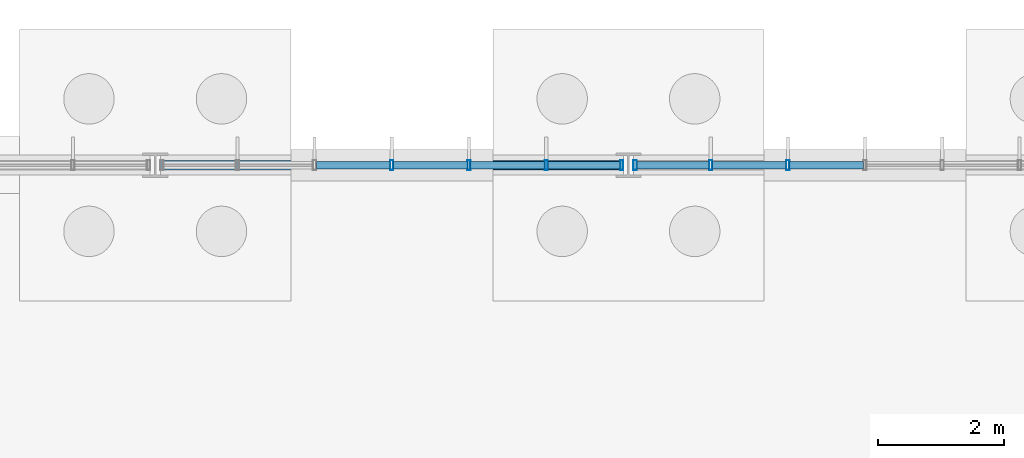
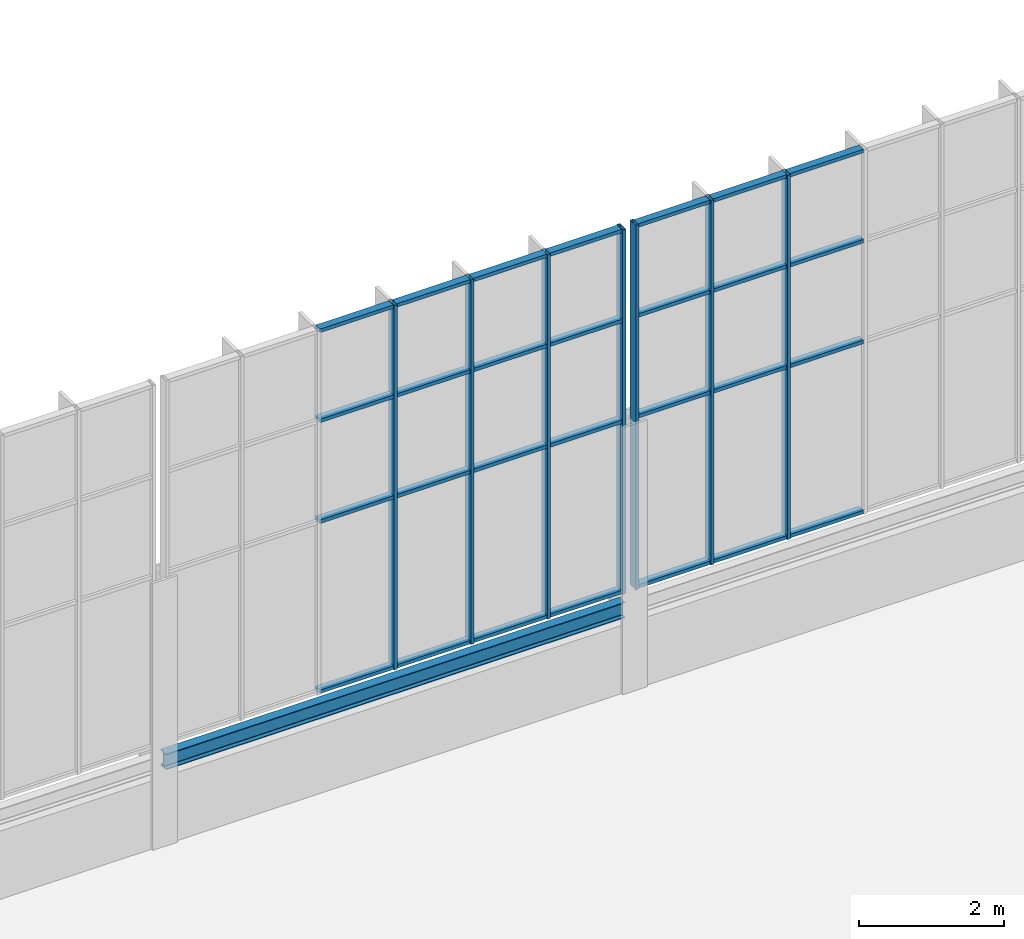
# One storey, part 64 of 136: 35 members, 1 beam, 2 elements without a shape of their own.
"""IFC4 building model written with IfcOpenShell, lengths in metres."""

from ifc_helpers import new_model, si_unit, direction, frame, origin, origin_2d, place, context, subcontext, project, spatial, hollow_rectangle, i_section, extrude, material, layer, layer_set, material_profile, profile_set, type_object, element, aggregate, save


model = new_model("IFC4")

# Units and contexts
model_context = context("Model", 3, precision=1e-05, world=origin(), true_north=direction((0.0, 1.0)))
body_context = subcontext(model_context, "Body", "Model", "MODEL_VIEW")
ifc_project = project(units=[si_unit("LENGTHUNIT", "METRE"), si_unit("AREAUNIT", "SQUARE_METRE"), si_unit("VOLUMEUNIT", "CUBIC_METRE"), si_unit("PLANEANGLEUNIT", "RADIAN"), si_unit("MASSUNIT", "GRAM", prefix="KILO")], contexts=[model_context])

# Site, building, storey
site_placement = place(None, origin())
site = spatial("IfcSite", under=ifc_project, at=site_placement, CompositionType="ELEMENT")
building_placement = place(site_placement, origin())
building = spatial("IfcBuilding", under=site, at=building_placement, Name="Solvenia Promenade Tram Depot", CompositionType="ELEMENT")
storey_placement = place(building_placement, origin())
storey = spatial("IfcBuildingStorey", under=building, at=storey_placement, Name="L00", CompositionType="ELEMENT", Elevation=0.0)

# Curtain wall, members
ifc_material_1 = material(Name="Anodized aluminium AW-6063 T6", Category="aluminium")
ifc_layer = layer(ifc_material_1, 0.159912109375, Name="Anodized aluminium AW-6063 T6", Category="aluminium")
ifc_layer_set = layer_set([ifc_layer], Name="Anodized aluminium AW-6063 T6")
curtain_wall_type = type_object("IfcCurtainWallType", Name="CW-Channel-1200", PredefinedType="NOTDEFINED", material=ifc_layer_set)
curtain_wall_1_placement = place(storey_placement, origin())
curtain_wall_1 = element("IfcCurtainWall", 1, at=curtain_wall_1_placement, inside=storey, type_object=curtain_wall_type, Name="North Translucent Channel-Glass Wall 09", PredefinedType="NOTDEFINED")
ifc_material_profile_1 = material_profile(ifc_material_1, hollow_rectangle(XDim=0.159912109375, YDim=0.052001953125, WallThickness=0.00390625, at=origin_2d()), Name="ALU-M1", Category="aluminium")
ifc_profile_set_1 = profile_set([ifc_material_profile_1], Name="Anodized aluminium AW-6063 T6")
member_type_1 = type_object("IfcMemberType", Name="CWM-Mullion-1", PredefinedType="MULLION", material=ifc_profile_set_1)
member_1_placement = place(storey_placement, frame((63.75, 126.0, 1.60009765625), z_axis=(0.0, 0.0, 1.0), x_axis=(0.0, 1.0, 0.0)))
member_1 = element("IfcMember", 2, at=member_1_placement, type_object=member_type_1, Name="CW-1 mullion 4", PredefinedType="MULLION", context=body_context, shape_type="SweptSolid", body=[
    extrude(hollow_rectangle(XDim=0.159912109375, YDim=0.052001953125, WallThickness=0.00390625, at=origin_2d()), origin(), (0.0, 0.0, 1.0), 6.14990234375),
])
member_2_placement = place(storey_placement, frame((64.973388671875, 126.0, 1.60009765625), z_axis=(0.0, 0.0, 1.0), x_axis=(0.0, 1.0, 0.0)))
member_2 = element("IfcMember", 3, at=member_2_placement, type_object=member_type_1, Name="CW-1 mullion 5", PredefinedType="MULLION", context=body_context, shape_type="SweptSolid", body=[
    extrude(hollow_rectangle(XDim=0.159912109375, YDim=0.052001953125, WallThickness=0.00390625, at=origin_2d()), origin(), (0.0, 0.0, 1.0), 6.14990234375),
])
member_3_placement = place(storey_placement, frame((66.19677734375, 126.0, 1.60009765625), z_axis=(0.0, 0.0, 1.0), x_axis=(0.0, 1.0, 0.0)))
member_3 = element("IfcMember", 4, at=member_3_placement, type_object=member_type_1, Name="CW-1 mullion 6", PredefinedType="MULLION", context=body_context, shape_type="SweptSolid", body=[
    extrude(hollow_rectangle(XDim=0.159912109375, YDim=0.052001953125, WallThickness=0.00390625, at=origin_2d()), origin(), (0.0, 0.0, 1.0), 6.14990234375),
])
member_4_placement = place(storey_placement, frame((67.39404296875, 126.0, 1.60009765625), z_axis=(0.0, 0.0, 1.0), x_axis=(0.0, 1.0, 0.0)))
member_4 = element("IfcMember", 5, at=member_4_placement, type_object=member_type_1, Name="CW-1 mullion 7", PredefinedType="MULLION", context=body_context, shape_type="SweptSolid", body=[
    extrude(hollow_rectangle(XDim=0.159912109375, YDim=0.052001953125, WallThickness=0.00390625, at=origin_2d()), origin(), (0.0, 0.0, 1.0), 6.14990234375),
])

curtain_wall_2_placement = place(storey_placement, origin())
curtain_wall_2 = element("IfcCurtainWall", 6, at=curtain_wall_2_placement, inside=storey, type_object=curtain_wall_type, Name="North Translucent Channel-Glass Wall 10", PredefinedType="NOTDEFINED")
member_5_placement = place(storey_placement, frame((67.60595703125, 126.0, 1.60009765625), z_axis=(0.0, 0.0, 1.0), x_axis=(0.0, 1.0, 0.0)))
member_5 = element("IfcMember", 7, at=member_5_placement, type_object=member_type_1, Name="CW-1 mullion 1", PredefinedType="MULLION", context=body_context, shape_type="SweptSolid", body=[
    extrude(hollow_rectangle(XDim=0.159912109375, YDim=0.052001953125, WallThickness=0.00390625, at=origin_2d()), origin(), (0.0, 0.0, 1.0), 6.14990234375),
])
member_6_placement = place(storey_placement, frame((68.80322265625, 126.0, 1.60009765625), z_axis=(0.0, 0.0, 1.0), x_axis=(0.0, 1.0, 0.0)))
member_6 = element("IfcMember", 8, at=member_6_placement, type_object=member_type_1, Name="CW-1 mullion 2", PredefinedType="MULLION", context=body_context, shape_type="SweptSolid", body=[
    extrude(hollow_rectangle(XDim=0.159912109375, YDim=0.052001953125, WallThickness=0.00390625, at=origin_2d()), origin(), (0.0, 0.0, 1.0), 6.14990234375),
])
member_7_placement = place(storey_placement, frame((70.026611328125, 126.0, 1.60009765625), z_axis=(0.0, 0.0, 1.0), x_axis=(0.0, 1.0, 0.0)))
member_7 = element("IfcMember", 9, at=member_7_placement, type_object=member_type_1, Name="CW-1 mullion 3", PredefinedType="MULLION", context=body_context, shape_type="SweptSolid", body=[
    extrude(hollow_rectangle(XDim=0.159912109375, YDim=0.052001953125, WallThickness=0.00390625, at=origin_2d()), origin(), (0.0, 0.0, 1.0), 6.14990234375),
])

# Member
ifc_material_profile_2 = material_profile(ifc_material_1, hollow_rectangle(XDim=0.1201171875, YDim=0.06005859375, WallThickness=0.00390625, at=origin_2d()), Name="ALU-T1", Category="aluminium")
ifc_profile_set_2 = profile_set([ifc_material_profile_2], Name="Anodized aluminium AW-6063 T6")
member_type_2 = type_object("IfcMemberType", Name="CWT-Transom-1", PredefinedType="USERDEFINED", material=ifc_profile_set_2)
member_8_placement = place(storey_placement, frame((62.552734375, 126.0, 1.6298828125), z_axis=(1.0, 0.0, 0.0), x_axis=(0.0, 1.0, 0.0)))
member_8 = element("IfcMember", 10, at=member_8_placement, type_object=member_type_2, Name="CW-1 transom 3.1", ObjectType="TRANSOM", PredefinedType="USERDEFINED", context=body_context, shape_type="SweptSolid", body=[
    extrude(hollow_rectangle(XDim=0.1201171875, YDim=0.06005859375, WallThickness=0.00390625, at=origin_2d()), origin(), (0.0, 0.0, 1.0), 1.17138671875),
])

member_9_placement = place(storey_placement, frame((62.552734375, 126.0, 4.5), z_axis=(1.0, 0.0, 0.0), x_axis=(0.0, 1.0, 0.0)))
member_9 = element("IfcMember", 11, at=member_9_placement, type_object=member_type_2, Name="CW-1 transom 3.2", ObjectType="TRANSOM", PredefinedType="USERDEFINED", context=body_context, shape_type="SweptSolid", body=[
    extrude(hollow_rectangle(XDim=0.1201171875, YDim=0.06005859375, WallThickness=0.00390625, at=origin_2d()), origin(), (0.0, 0.0, 1.0), 1.17138671875),
])

member_10_placement = place(storey_placement, frame((62.552734375, 126.0, 6.199951171875), z_axis=(1.0, 0.0, 0.0), x_axis=(0.0, 1.0, 0.0)))
member_10 = element("IfcMember", 12, at=member_10_placement, type_object=member_type_2, Name="CW-1 transom 3.3", ObjectType="TRANSOM", PredefinedType="USERDEFINED", context=body_context, shape_type="SweptSolid", body=[
    extrude(hollow_rectangle(XDim=0.1201171875, YDim=0.06005859375, WallThickness=0.00390625, at=origin_2d()), origin(), (0.0, 0.0, 1.0), 1.17138671875),
])

member_11_placement = place(storey_placement, frame((62.552734375, 126.0, 7.719970703125), z_axis=(1.0, 0.0, 0.0), x_axis=(0.0, 1.0, 0.0)))
member_11 = element("IfcMember", 13, at=member_11_placement, type_object=member_type_2, Name="CW-1 transom 3.4", ObjectType="TRANSOM", PredefinedType="USERDEFINED", context=body_context, shape_type="SweptSolid", body=[
    extrude(hollow_rectangle(XDim=0.1201171875, YDim=0.06005859375, WallThickness=0.00390625, at=origin_2d()), origin(), (0.0, 0.0, 1.0), 1.17138671875),
])

member_12_placement = place(storey_placement, frame((63.77587890625, 126.0, 1.6298828125), z_axis=(1.0, 0.0, 0.0), x_axis=(0.0, 1.0, 0.0)))
member_12 = element("IfcMember", 14, at=member_12_placement, type_object=member_type_2, Name="CW-1 transom 4.1", ObjectType="TRANSOM", PredefinedType="USERDEFINED", context=body_context, shape_type="SweptSolid", body=[
    extrude(hollow_rectangle(XDim=0.1201171875, YDim=0.06005859375, WallThickness=0.00390625, at=origin_2d()), origin(), (0.0, 0.0, 1.0), 1.17138671875),
])

member_13_placement = place(storey_placement, frame((63.77587890625, 126.0, 4.5), z_axis=(1.0, 0.0, 0.0), x_axis=(0.0, 1.0, 0.0)))
member_13 = element("IfcMember", 15, at=member_13_placement, type_object=member_type_2, Name="CW-1 transom 4.2", ObjectType="TRANSOM", PredefinedType="USERDEFINED", context=body_context, shape_type="SweptSolid", body=[
    extrude(hollow_rectangle(XDim=0.1201171875, YDim=0.06005859375, WallThickness=0.00390625, at=origin_2d()), origin(), (0.0, 0.0, 1.0), 1.17138671875),
])

member_14_placement = place(storey_placement, frame((63.77587890625, 126.0, 6.199951171875), z_axis=(1.0, 0.0, 0.0), x_axis=(0.0, 1.0, 0.0)))
member_14 = element("IfcMember", 16, at=member_14_placement, type_object=member_type_2, Name="CW-1 transom 4.3", ObjectType="TRANSOM", PredefinedType="USERDEFINED", context=body_context, shape_type="SweptSolid", body=[
    extrude(hollow_rectangle(XDim=0.1201171875, YDim=0.06005859375, WallThickness=0.00390625, at=origin_2d()), origin(), (0.0, 0.0, 1.0), 1.17138671875),
])

member_15_placement = place(storey_placement, frame((63.77587890625, 126.0, 7.719970703125), z_axis=(1.0, 0.0, 0.0), x_axis=(0.0, 1.0, 0.0)))
member_15 = element("IfcMember", 17, at=member_15_placement, type_object=member_type_2, Name="CW-1 transom 4.4", ObjectType="TRANSOM", PredefinedType="USERDEFINED", context=body_context, shape_type="SweptSolid", body=[
    extrude(hollow_rectangle(XDim=0.1201171875, YDim=0.06005859375, WallThickness=0.00390625, at=origin_2d()), origin(), (0.0, 0.0, 1.0), 1.17138671875),
])

member_16_placement = place(storey_placement, frame((64.999267578125, 126.0, 1.6298828125), z_axis=(1.0, 0.0, 0.0), x_axis=(0.0, 1.0, 0.0)))
member_16 = element("IfcMember", 18, at=member_16_placement, type_object=member_type_2, Name="CW-1 transom 5.1", ObjectType="TRANSOM", PredefinedType="USERDEFINED", context=body_context, shape_type="SweptSolid", body=[
    extrude(hollow_rectangle(XDim=0.1201171875, YDim=0.06005859375, WallThickness=0.00390625, at=origin_2d()), origin(), (0.0, 0.0, 1.0), 1.17138671875),
])

member_17_placement = place(storey_placement, frame((64.999267578125, 126.0, 4.5), z_axis=(1.0, 0.0, 0.0), x_axis=(0.0, 1.0, 0.0)))
member_17 = element("IfcMember", 19, at=member_17_placement, type_object=member_type_2, Name="CW-1 transom 5.2", ObjectType="TRANSOM", PredefinedType="USERDEFINED", context=body_context, shape_type="SweptSolid", body=[
    extrude(hollow_rectangle(XDim=0.1201171875, YDim=0.06005859375, WallThickness=0.00390625, at=origin_2d()), origin(), (0.0, 0.0, 1.0), 1.17138671875),
])

member_18_placement = place(storey_placement, frame((64.999267578125, 126.0, 6.199951171875), z_axis=(1.0, 0.0, 0.0), x_axis=(0.0, 1.0, 0.0)))
member_18 = element("IfcMember", 20, at=member_18_placement, type_object=member_type_2, Name="CW-1 transom 5.3", ObjectType="TRANSOM", PredefinedType="USERDEFINED", context=body_context, shape_type="SweptSolid", body=[
    extrude(hollow_rectangle(XDim=0.1201171875, YDim=0.06005859375, WallThickness=0.00390625, at=origin_2d()), origin(), (0.0, 0.0, 1.0), 1.17138671875),
])

member_19_placement = place(storey_placement, frame((64.999267578125, 126.0, 7.719970703125), z_axis=(1.0, 0.0, 0.0), x_axis=(0.0, 1.0, 0.0)))
member_19 = element("IfcMember", 21, at=member_19_placement, type_object=member_type_2, Name="CW-1 transom 5.4", ObjectType="TRANSOM", PredefinedType="USERDEFINED", context=body_context, shape_type="SweptSolid", body=[
    extrude(hollow_rectangle(XDim=0.1201171875, YDim=0.06005859375, WallThickness=0.00390625, at=origin_2d()), origin(), (0.0, 0.0, 1.0), 1.17138671875),
])

member_20_placement = place(storey_placement, frame((66.22265625, 126.0, 1.6298828125), z_axis=(1.0, 0.0, 0.0), x_axis=(0.0, 1.0, 0.0)))
member_20 = element("IfcMember", 22, at=member_20_placement, type_object=member_type_2, Name="CW-1 transom 6.1", ObjectType="TRANSOM", PredefinedType="USERDEFINED", context=body_context, shape_type="SweptSolid", body=[
    extrude(hollow_rectangle(XDim=0.1201171875, YDim=0.06005859375, WallThickness=0.00390625, at=origin_2d()), origin(), (0.0, 0.0, 1.0), 1.145263671875),
])

member_21_placement = place(storey_placement, frame((66.22265625, 126.0, 4.5), z_axis=(1.0, 0.0, 0.0), x_axis=(0.0, 1.0, 0.0)))
member_21 = element("IfcMember", 23, at=member_21_placement, type_object=member_type_2, Name="CW-1 transom 6.2", ObjectType="TRANSOM", PredefinedType="USERDEFINED", context=body_context, shape_type="SweptSolid", body=[
    extrude(hollow_rectangle(XDim=0.1201171875, YDim=0.06005859375, WallThickness=0.00390625, at=origin_2d()), origin(), (0.0, 0.0, 1.0), 1.145263671875),
])

member_22_placement = place(storey_placement, frame((66.22265625, 126.0, 6.199951171875), z_axis=(1.0, 0.0, 0.0), x_axis=(0.0, 1.0, 0.0)))
member_22 = element("IfcMember", 24, at=member_22_placement, type_object=member_type_2, Name="CW-1 transom 6.3", ObjectType="TRANSOM", PredefinedType="USERDEFINED", context=body_context, shape_type="SweptSolid", body=[
    extrude(hollow_rectangle(XDim=0.1201171875, YDim=0.06005859375, WallThickness=0.00390625, at=origin_2d()), origin(), (0.0, 0.0, 1.0), 1.145263671875),
])

member_23_placement = place(storey_placement, frame((66.22265625, 126.0, 7.719970703125), z_axis=(1.0, 0.0, 0.0), x_axis=(0.0, 1.0, 0.0)))
member_23 = element("IfcMember", 25, at=member_23_placement, type_object=member_type_2, Name="CW-1 transom 6.4", ObjectType="TRANSOM", PredefinedType="USERDEFINED", context=body_context, shape_type="SweptSolid", body=[
    extrude(hollow_rectangle(XDim=0.1201171875, YDim=0.06005859375, WallThickness=0.00390625, at=origin_2d()), origin(), (0.0, 0.0, 1.0), 1.145263671875),
])

aggregate(curtain_wall_1, [member_1, member_2, member_3, member_4, member_8, member_9, member_10, member_11, member_12, member_13, member_14, member_15, member_16, member_17, member_18, member_19, member_20, member_21, member_22, member_23])

member_24_placement = place(storey_placement, frame((67.632080078125, 126.0, 1.6298828125), z_axis=(1.0, 0.0, 0.0), x_axis=(0.0, 1.0, 0.0)))
member_24 = element("IfcMember", 26, at=member_24_placement, type_object=member_type_2, Name="CW-1 transom 1.1", ObjectType="TRANSOM", PredefinedType="USERDEFINED", context=body_context, shape_type="SweptSolid", body=[
    extrude(hollow_rectangle(XDim=0.1201171875, YDim=0.06005859375, WallThickness=0.00390625, at=origin_2d()), origin(), (0.0, 0.0, 1.0), 1.145263671875),
])

member_25_placement = place(storey_placement, frame((67.632080078125, 126.0, 4.5), z_axis=(1.0, 0.0, 0.0), x_axis=(0.0, 1.0, 0.0)))
member_25 = element("IfcMember", 27, at=member_25_placement, type_object=member_type_2, Name="CW-1 transom 1.2", ObjectType="TRANSOM", PredefinedType="USERDEFINED", context=body_context, shape_type="SweptSolid", body=[
    extrude(hollow_rectangle(XDim=0.1201171875, YDim=0.06005859375, WallThickness=0.00390625, at=origin_2d()), origin(), (0.0, 0.0, 1.0), 1.145263671875),
])

member_26_placement = place(storey_placement, frame((67.632080078125, 126.0, 6.199951171875), z_axis=(1.0, 0.0, 0.0), x_axis=(0.0, 1.0, 0.0)))
member_26 = element("IfcMember", 28, at=member_26_placement, type_object=member_type_2, Name="CW-1 transom 1.3", ObjectType="TRANSOM", PredefinedType="USERDEFINED", context=body_context, shape_type="SweptSolid", body=[
    extrude(hollow_rectangle(XDim=0.1201171875, YDim=0.06005859375, WallThickness=0.00390625, at=origin_2d()), origin(), (0.0, 0.0, 1.0), 1.145263671875),
])

member_27_placement = place(storey_placement, frame((67.632080078125, 126.0, 7.719970703125), z_axis=(1.0, 0.0, 0.0), x_axis=(0.0, 1.0, 0.0)))
member_27 = element("IfcMember", 29, at=member_27_placement, type_object=member_type_2, Name="CW-1 transom 1.4", ObjectType="TRANSOM", PredefinedType="USERDEFINED", context=body_context, shape_type="SweptSolid", body=[
    extrude(hollow_rectangle(XDim=0.1201171875, YDim=0.06005859375, WallThickness=0.00390625, at=origin_2d()), origin(), (0.0, 0.0, 1.0), 1.145263671875),
])

member_28_placement = place(storey_placement, frame((68.829345703125, 126.0, 1.6298828125), z_axis=(1.0, 0.0, 0.0), x_axis=(0.0, 1.0, 0.0)))
member_28 = element("IfcMember", 30, at=member_28_placement, type_object=member_type_2, Name="CW-1 transom 2.1", ObjectType="TRANSOM", PredefinedType="USERDEFINED", context=body_context, shape_type="SweptSolid", body=[
    extrude(hollow_rectangle(XDim=0.1201171875, YDim=0.06005859375, WallThickness=0.00390625, at=origin_2d()), origin(), (0.0, 0.0, 1.0), 1.17138671875),
])

member_29_placement = place(storey_placement, frame((68.829345703125, 126.0, 4.5), z_axis=(1.0, 0.0, 0.0), x_axis=(0.0, 1.0, 0.0)))
member_29 = element("IfcMember", 31, at=member_29_placement, type_object=member_type_2, Name="CW-1 transom 2.2", ObjectType="TRANSOM", PredefinedType="USERDEFINED", context=body_context, shape_type="SweptSolid", body=[
    extrude(hollow_rectangle(XDim=0.1201171875, YDim=0.06005859375, WallThickness=0.00390625, at=origin_2d()), origin(), (0.0, 0.0, 1.0), 1.17138671875),
])

member_30_placement = place(storey_placement, frame((68.829345703125, 126.0, 6.199951171875), z_axis=(1.0, 0.0, 0.0), x_axis=(0.0, 1.0, 0.0)))
member_30 = element("IfcMember", 32, at=member_30_placement, type_object=member_type_2, Name="CW-1 transom 2.3", ObjectType="TRANSOM", PredefinedType="USERDEFINED", context=body_context, shape_type="SweptSolid", body=[
    extrude(hollow_rectangle(XDim=0.1201171875, YDim=0.06005859375, WallThickness=0.00390625, at=origin_2d()), origin(), (0.0, 0.0, 1.0), 1.17138671875),
])

member_31_placement = place(storey_placement, frame((68.829345703125, 126.0, 7.719970703125), z_axis=(1.0, 0.0, 0.0), x_axis=(0.0, 1.0, 0.0)))
member_31 = element("IfcMember", 33, at=member_31_placement, type_object=member_type_2, Name="CW-1 transom 2.4", ObjectType="TRANSOM", PredefinedType="USERDEFINED", context=body_context, shape_type="SweptSolid", body=[
    extrude(hollow_rectangle(XDim=0.1201171875, YDim=0.06005859375, WallThickness=0.00390625, at=origin_2d()), origin(), (0.0, 0.0, 1.0), 1.17138671875),
])

member_32_placement = place(storey_placement, frame((70.052734375, 126.0, 1.6298828125), z_axis=(1.0, 0.0, 0.0), x_axis=(0.0, 1.0, 0.0)))
member_32 = element("IfcMember", 34, at=member_32_placement, type_object=member_type_2, Name="CW-1 transom 3.1", ObjectType="TRANSOM", PredefinedType="USERDEFINED", context=body_context, shape_type="SweptSolid", body=[
    extrude(hollow_rectangle(XDim=0.1201171875, YDim=0.06005859375, WallThickness=0.00390625, at=origin_2d()), origin(), (0.0, 0.0, 1.0), 1.17138671875),
])

member_33_placement = place(storey_placement, frame((70.052734375, 126.0, 4.5), z_axis=(1.0, 0.0, 0.0), x_axis=(0.0, 1.0, 0.0)))
member_33 = element("IfcMember", 35, at=member_33_placement, type_object=member_type_2, Name="CW-1 transom 3.2", ObjectType="TRANSOM", PredefinedType="USERDEFINED", context=body_context, shape_type="SweptSolid", body=[
    extrude(hollow_rectangle(XDim=0.1201171875, YDim=0.06005859375, WallThickness=0.00390625, at=origin_2d()), origin(), (0.0, 0.0, 1.0), 1.17138671875),
])

member_34_placement = place(storey_placement, frame((70.052734375, 126.0, 6.199951171875), z_axis=(1.0, 0.0, 0.0), x_axis=(0.0, 1.0, 0.0)))
member_34 = element("IfcMember", 36, at=member_34_placement, type_object=member_type_2, Name="CW-1 transom 3.3", ObjectType="TRANSOM", PredefinedType="USERDEFINED", context=body_context, shape_type="SweptSolid", body=[
    extrude(hollow_rectangle(XDim=0.1201171875, YDim=0.06005859375, WallThickness=0.00390625, at=origin_2d()), origin(), (0.0, 0.0, 1.0), 1.17138671875),
])

member_35_placement = place(storey_placement, frame((70.052734375, 126.0, 7.719970703125), z_axis=(1.0, 0.0, 0.0), x_axis=(0.0, 1.0, 0.0)))
member_35 = element("IfcMember", 37, at=member_35_placement, type_object=member_type_2, Name="CW-1 transom 3.4", ObjectType="TRANSOM", PredefinedType="USERDEFINED", context=body_context, shape_type="SweptSolid", body=[
    extrude(hollow_rectangle(XDim=0.1201171875, YDim=0.06005859375, WallThickness=0.00390625, at=origin_2d()), origin(), (0.0, 0.0, 1.0), 1.17138671875),
])

aggregate(curtain_wall_2, [member_5, member_6, member_7, member_24, member_25, member_26, member_27, member_28, member_29, member_30, member_31, member_32, member_33, member_34, member_35])

# Beam
ifc_material_2 = material(Name="Structural steel ASTM A992 Gr. 50", Category="steel")
ifc_material_profile_3 = material_profile(ifc_material_2, i_section(OverallWidth=0.14697265625, OverallDepth=0.261962890625, WebThickness=0.006591796875, FlangeThickness=0.01123046875, FilletRadius=0.010009765625, at=origin_2d()), Name="W250x39", Category="steel")
ifc_profile_set_3 = profile_set([ifc_material_profile_3], Name="Structural steel ASTM A992 Gr. 50")
beam_type = type_object("IfcBeamType", Name="Lintel-W250x39", PredefinedType="LINTEL", material=ifc_profile_set_3)
beam_placement = place(storey_placement, frame((60.0849609375, 126.0, 1.319091796875), z_axis=(1.0, 0.0, 0.0), x_axis=(0.0, 1.0, 0.0)))
element("IfcBeam", 38, at=beam_placement, inside=storey, type_object=beam_type, Name="North Plinth Header Beam 9 BM-L00-0942", PredefinedType="LINTEL", context=body_context, shape_type="SweptSolid", body=[
    extrude(i_section(OverallWidth=0.14697265625, OverallDepth=0.261962890625, WebThickness=0.006591796875, FlangeThickness=0.01123046875, FilletRadius=0.010009765625, at=origin_2d()), origin(), (0.0, 0.0, 1.0), 7.330078125),
])

save(model, "model.ifc")
